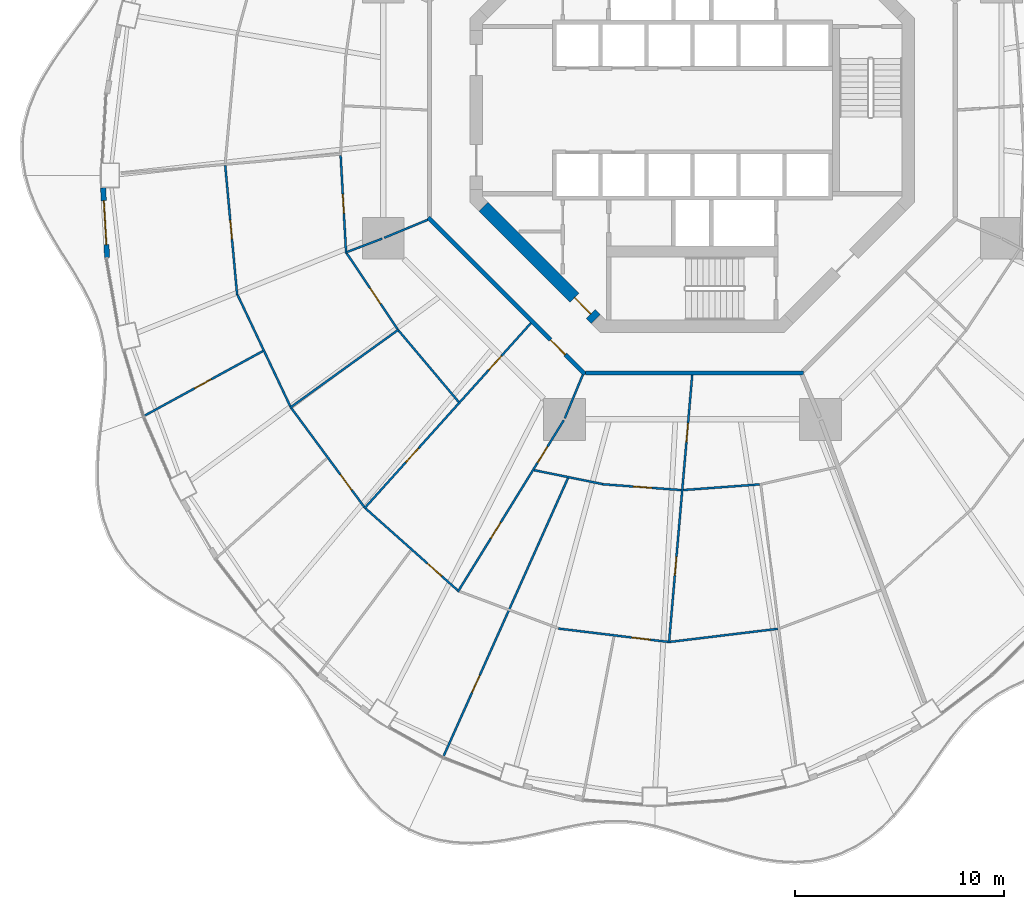
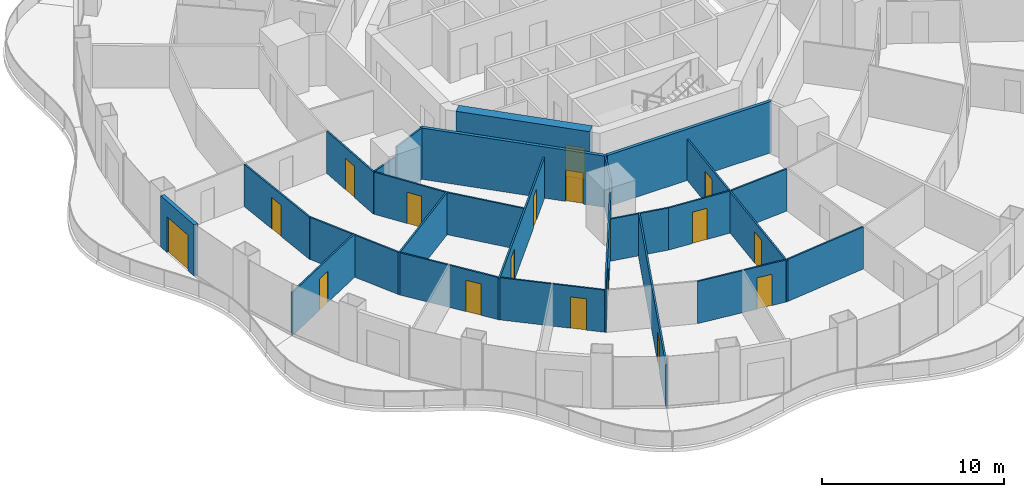
# One storey, part 11 of 19: 25 walls, 18 doors, 18 openings.
"""IFC4 building model written with IfcOpenShell, lengths in metres."""

import ifcopenshell
import ifcopenshell.guid

model = None  # the IFC model being written
_history = None  # IfcOwnerHistory: only IFC2X3 demands one
_inside = {}  # id of a spatial element -> (the spatial element, [elements in it])
_under = {}  # id of a project, library or spatial element -> (it, [spatial elements below it])
_declared = {}  # id of a project -> (the project, [libraries it declares])
_typed = {}  # id of a type object -> (the type object, [elements of that type])
_made_of = {}  # id of a material, layer set ... -> (it, [elements and type objects made of it])


def new_model(schema):
    """Start an empty IFC model of exactly this schema.

    Asked for "IFC4X3", IfcOpenShell would pick the latest addendum, in which some entities
    have other attributes; the version numbers below select the first issue.
    IFC2X3 requires an IfcOwnerHistory on every rooted entity: one is made here for all.
    """
    global model, _history
    if schema == "IFC4X3":
        model = ifcopenshell.file(schema_version=(4, 3, 0, 0))
    else:
        model = ifcopenshell.file(schema=schema)
    _inside.clear()
    _under.clear()
    _declared.clear()
    _typed.clear()
    _made_of.clear()
    _history = None
    if model.schema == "IFC2X3":
        org = make("IfcOrganization", Name="unknown")
        user = make(
            "IfcPersonAndOrganization",
            ThePerson=make("IfcPerson", FamilyName="unknown"),
            TheOrganization=org,
        )
        app = make(
            "IfcApplication",
            ApplicationDeveloper=org,
            Version="unknown",
            ApplicationFullName="unknown",
            ApplicationIdentifier="unknown",
        )
        _history = make(
            "IfcOwnerHistory",
            OwningUser=user,
            OwningApplication=app,
            ChangeAction="ADDED",
            CreationDate=0,
        )
    return model


def make(cls, **values):
    """One entity of the class cls with the attributes given. An attribute that is None is left unset."""
    return model.create_entity(
        cls, **{name: value for name, value in values.items() if value is not None}
    )


def rooted(cls, **values):
    """An entity with a GlobalId (a new one), such as an element, a storey or a relation."""
    return make(cls, GlobalId=ifcopenshell.guid.new(), OwnerHistory=_history, **values)


def si_unit(unit_type, name, prefix=None):
    """IfcSIUnit, for example si_unit("LENGTHUNIT", "METRE", prefix="MILLI")."""
    return make("IfcSIUnit", UnitType=unit_type, Prefix=prefix, Name=name)


def assignment(units):
    """IfcUnitAssignment: the units of a project."""
    return None if units is None else make("IfcUnitAssignment", Units=units)


def point(xyz):
    """IfcCartesianPoint."""
    return None if xyz is None else make("IfcCartesianPoint", Coordinates=xyz)


def direction(xyz):
    """IfcDirection."""
    return None if xyz is None else make("IfcDirection", DirectionRatios=xyz)


def frame(location, z_axis=None, x_axis=None):
    """IfcAxis2Placement3D, a coordinate frame: its origin and axes. An axis left out is left unset."""
    return make(
        "IfcAxis2Placement3D",
        Location=point(location),
        Axis=direction(z_axis),
        RefDirection=direction(x_axis),
    )


def frame_2d(location, x_axis=None):
    """IfcAxis2Placement2D, a coordinate frame in the plane: its origin and x axis."""
    return make(
        "IfcAxis2Placement2D", Location=point(location), RefDirection=direction(x_axis)
    )


def origin():
    """The frame at (0, 0, 0) with its axes left unset."""
    return frame((0.0, 0.0, 0.0))


def place(relative_to, where):
    """IfcLocalPlacement: puts the frame where relative to a parent placement (None: the world)."""
    return make(
        "IfcLocalPlacement", PlacementRelTo=relative_to, RelativePlacement=where
    )


def context(
    kind, dimensions, precision=None, world=None, true_north=None, identifier=None
):
    """IfcGeometricRepresentationContext, for example the 3D "Model" context."""
    return make(
        "IfcGeometricRepresentationContext",
        ContextIdentifier=identifier,
        ContextType=kind,
        CoordinateSpaceDimension=dimensions,
        Precision=precision,
        WorldCoordinateSystem=world,
        TrueNorth=true_north,
    )


def subcontext(parent, identifier, kind, view, scale=None):
    """IfcGeometricRepresentationSubContext, for example "Body" below "Model"."""
    return make(
        "IfcGeometricRepresentationSubContext",
        ContextIdentifier=identifier,
        ContextType=kind,
        ParentContext=parent,
        TargetScale=scale,
        TargetView=view,
    )


def project(units=None, contexts=None):
    """IfcProject with its units and contexts."""
    return rooted(
        "IfcProject",
        Name="project",
        RepresentationContexts=contexts,
        UnitsInContext=assignment(units),
    )


def spatial(cls, under=None, at=None, **own):
    """A site, building, storey or space (cls), placed at a placement, below another one or the project."""
    s = rooted(cls, ObjectPlacement=at, **own)
    if under is not None:
        _under.setdefault(under.id(), (under, []))[1].append(s)
    return s


def profile(cls, at=None, kind="AREA", **sizes):
    """A parametric profile (cls). Its sizes go by their IFC names, for example OverallWidth=200.0."""
    return make(cls, ProfileType=kind, Position=at, **sizes)


def rectangle(**sizes):
    """IfcRectangleProfileDef."""
    return profile("IfcRectangleProfileDef", **sizes)


def extrude(swept, where, along, depth):
    """IfcExtrudedAreaSolid: the profile swept, set in the frame where, extruded along a direction by depth."""
    return make(
        "IfcExtrudedAreaSolid",
        SweptArea=swept,
        Position=where,
        ExtrudedDirection=direction(along),
        Depth=depth,
    )


def shape(context_of_items, identifier, shape_type, items):
    """IfcShapeRepresentation: the items that make up one representation, for example the "Body"."""
    return make(
        "IfcShapeRepresentation",
        ContextOfItems=context_of_items,
        RepresentationIdentifier=identifier,
        RepresentationType=shape_type,
        Items=items,
    )


def material(Name=None, Category=None):
    """IfcMaterial."""
    return make("IfcMaterial", Name=Name, Category=Category)


def layer(
    of_material, thickness, ventilated=None, Name=None, Category=None, Priority=None
):
    """IfcMaterialLayer: one layer of a wall or slab, of a material (None: an air gap)."""
    return make(
        "IfcMaterialLayer",
        Material=of_material,
        LayerThickness=thickness,
        IsVentilated=ventilated,
        Name=Name,
        Category=Category,
        Priority=Priority,
    )


def layer_set(layers, Name=None):
    """IfcMaterialLayerSet."""
    return make("IfcMaterialLayerSet", MaterialLayers=layers, LayerSetName=Name)


def made_of(thing, what):
    """Note that an element or type object is made of a material, layer set ...; save() writes the relation."""
    if what is not None:
        _made_of.setdefault(what.id(), (what, []))[1].append(thing)
    return thing


def type_object(cls, material=None, **own):
    """A type object (cls), such as IfcWallType, which elements share."""
    return made_of(rooted(cls, **own), material)


def element(
    cls,
    number,
    at=None,
    inside=None,
    cuts=None,
    type_object=None,
    material=None,
    context=None,
    identifier="Body",
    shape_type=None,
    held_by="IfcProductDefinitionShape",
    body=None,
    shapes=None,
    **own,
):
    """One element of the class cls, such as IfcWall. Its Tag is "e" and its number.

    at: its placement. inside: the storey or other place that contains it. cuts: it is an
    opening in that element (IfcRelVoidsElement). A single representation is given by context,
    identifier, shape_type and body (its items); several are given by shapes. held_by: the class
    of the entity that holds the representations. save() writes the other relations.
    """
    e = rooted(cls, Tag="e%d" % number, ObjectPlacement=at, **own)
    if body is not None:
        shapes = [shape(context, identifier, shape_type, body)]
    if shapes is not None:
        e.Representation = make(held_by, Representations=shapes)
    if inside is not None:
        _inside.setdefault(inside.id(), (inside, []))[1].append(e)
    if cuts is not None:
        rooted(
            "IfcRelVoidsElement", RelatingBuildingElement=cuts, RelatedOpeningElement=e
        )
    if type_object is not None:
        _typed.setdefault(type_object.id(), (type_object, []))[1].append(e)
    return made_of(e, material)


def fill(opening, filler):
    """IfcRelFillsElement: the door or window that sits in an opening."""
    return rooted(
        "IfcRelFillsElement",
        RelatingOpeningElement=opening,
        RelatedBuildingElement=filler,
    )


def aggregate(whole, parts):
    """IfcRelAggregates: a whole, such as a stair, and the parts it consists of."""
    return rooted("IfcRelAggregates", RelatingObject=whole, RelatedObjects=parts)


def save(model, path):
    """Write the relations noted so far, then the file.

    IfcRelAggregates (storeys below a building ...), IfcRelContainedInSpatialStructure (elements
    in a storey), IfcRelDefinesByType, IfcRelAssociatesMaterial and IfcRelDeclares: one each for
    every whole, place, type object, material and project.
    """
    for whole, parts in _under.values():
        aggregate(whole, parts)
    for where, things in _inside.values():
        rooted(
            "IfcRelContainedInSpatialStructure",
            RelatedElements=things,
            RelatingStructure=where,
        )
    for kind, things in _typed.values():
        rooted("IfcRelDefinesByType", RelatedObjects=things, RelatingType=kind)
    for what, things in _made_of.values():
        rooted("IfcRelAssociatesMaterial", RelatedObjects=things, RelatingMaterial=what)
    for by, libraries in _declared.values():
        rooted("IfcRelDeclares", RelatingContext=by, RelatedDefinitions=libraries)
    model.write(path)


model = new_model("IFC4")

# Units and contexts
model_context = context("Model", 3, precision=1e-05, world=origin(), true_north=direction((0.0, 1.0)))
body_context = subcontext(model_context, "Body", "Model", "MODEL_VIEW")
ifc_project = project(units=[si_unit("LENGTHUNIT", "METRE"), si_unit("AREAUNIT", "SQUARE_METRE"), si_unit("VOLUMEUNIT", "CUBIC_METRE"), si_unit("PLANEANGLEUNIT", "RADIAN"), si_unit("MASSUNIT", "GRAM", prefix="KILO")], contexts=[model_context])

# Site, building, storey
site_placement = place(None, origin())
site = spatial("IfcSite", under=ifc_project, at=site_placement, CompositionType="ELEMENT")
building_placement = place(site_placement, origin())
building = spatial("IfcBuilding", under=site, at=building_placement, Name="Nagisa Residences", CompositionType="ELEMENT")
storey_placement = place(building_placement, frame((0.0, 0.0, 127.0)))
storey = spatial("IfcBuildingStorey", under=building, at=storey_placement, Name="L31", CompositionType="ELEMENT", Elevation=127.0)

# Wall, opening, door
ifc_material_1 = material(Name="Gypsum board on steel studs", Category="steel")
ifc_layer_1 = layer(ifc_material_1, 0.199951171875)
ifc_layer_set_1 = layer_set([ifc_layer_1], Name="Apartment entry wall EI60 200")
wall_type_1 = type_object("IfcWallType", Name="Apartment entry wall EI60 200", PredefinedType="PARTITIONING", material=ifc_layer_set_1)
wall_1_placement = place(storey_placement, frame((-12.635498046875, -5.1337890625, 0.0), z_axis=(0.0, 0.0, 1.0), x_axis=(0.707106781187, -0.707106781187, 0.0)))
wall_1 = element("IfcWall", 1, at=wall_1_placement, inside=storey, type_object=wall_type_1, Name="wall:L31:u11", PredefinedType="PARTITIONING", context=body_context, shape_type="SweptSolid", body=[
    extrude(rectangle(XDim=10.609130859375, YDim=0.199951171875, at=frame_2d((5.3046875, 0.0))), origin(), (0.0, 0.0, 1.0), 3.43994140625),
])
opening_1_placement = place(wall_1_placement, frame((8.274169921875, 0.0, 0.0)))
opening_1 = element("IfcOpeningElement", 2, at=opening_1_placement, cuts=wall_1, Name="Opening L31-U14", PredefinedType="OPENING", context=body_context, shape_type="SweptSolid", body=[
    extrude(rectangle(XDim=1.0, YDim=2.10009765625, at=frame_2d((0.5, 1.050048828125))), frame((0.0, 0.10986328125, 0.0), z_axis=(0.0, -1.0, 0.0), x_axis=(1.0, 0.0, 0.0)), (0.0, 0.0, 1.0), 0.219970703125),
])
ifc_material_2 = material(Name="Timber fire door set", Category="wood")
door_type_1 = type_object("IfcDoorType", Name="Apartment entry door FD30S 1000x2100", OperationType="NOTDEFINED", PredefinedType="DOOR", material=ifc_material_2)
door_1_placement = place(opening_1_placement, frame((1.0, 0.0, 0.0), x_axis=(-1.0, 0.0, 0.0)))
door_1 = element("IfcDoor", 3, at=door_1_placement, inside=storey, type_object=door_type_1, Name="Entry door, Apartment 31B", OperationType="SINGLE_SWING_LEFT", OverallHeight=2.10009765625, OverallWidth=1.0, PredefinedType="DOOR", context=body_context, shape_type="SweptSolid", body=[
    extrude(rectangle(XDim=1.0, YDim=2.10009765625, at=frame_2d((0.5, 1.050048828125))), frame((0.0, 0.02490234375, 0.0), z_axis=(0.0, -1.0, 0.0), x_axis=(1.0, 0.0, 0.0)), (0.0, 0.0, 1.0), 0.050048828125),
])
fill(opening_1, door_1)

# Wall
wall_2_placement = place(storey_placement, frame((-5.1044921875, -12.564697265625, 0.0), z_axis=(0.0, 0.0, 1.0), x_axis=(1.0, 0.0, 0.0)))
element("IfcWall", 4, at=wall_2_placement, inside=storey, type_object=wall_type_1, Name="wall:L31:u12", PredefinedType="PARTITIONING", context=body_context, shape_type="SweptSolid", body=[
    extrude(rectangle(XDim=10.408935546875, YDim=0.199951171875, at=frame_2d((5.20458984375, 0.0))), origin(), (0.0, 0.0, 1.0), 3.43994140625),
])

# Wall, opening, door
ifc_material_3 = material(Name="Gypsum board on steel studs", Category="steel")
ifc_layer_2 = layer(ifc_material_3, 0.10009765625)
ifc_layer_set_2 = layer_set([ifc_layer_2], Name="Apartment partition 100")
wall_type_2 = type_object("IfcWallType", Name="Apartment partition 100", PredefinedType="PARTITIONING", material=ifc_layer_set_2)
wall_3_placement = place(storey_placement, frame((-16.81982421875, -2.158203125, 0.0), z_axis=(0.0, 0.0, 1.0), x_axis=(0.055967931845, -0.998432566879, 0.0)))
wall_3 = element("IfcWall", 5, at=wall_3_placement, inside=storey, type_object=wall_type_2, Name="wall:L31:u58", PredefinedType="PARTITIONING", context=body_context, shape_type="SweptSolid", body=[
    extrude(rectangle(XDim=4.697998046875, YDim=0.10009765625, at=frame_2d((2.34912109375, 0.0))), origin(), (0.0, 0.0, 1.0), 2.827880859375),
])
opening_2_placement = place(wall_3_placement, frame((1.8740234375, 0.0, 0.0)))
opening_2 = element("IfcOpeningElement", 6, at=opening_2_placement, cuts=wall_3, Name="Opening L31-U31", PredefinedType="OPENING", context=body_context, shape_type="SweptSolid", body=[
    extrude(rectangle(XDim=0.89990234375, YDim=2.10009765625, at=frame_2d((0.449951171875, 1.050048828125))), frame((0.0, 0.06005859375, 0.0), z_axis=(0.0, -1.0, 0.0), x_axis=(1.0, 0.0, 0.0)), (0.0, 0.0, 1.0), 0.1201171875),
])
ifc_material_4 = material(Name="Timber door set", Category="wood")
door_type_2 = type_object("IfcDoorType", Name="Apartment door 900x2100", OperationType="NOTDEFINED", PredefinedType="DOOR", material=ifc_material_4)
door_2_placement = place(opening_2_placement, origin())
door_2 = element("IfcDoor", 7, at=door_2_placement, inside=storey, type_object=door_type_2, Name="Door to store, Apartment 31B", OperationType="SINGLE_SWING_LEFT", OverallHeight=2.10009765625, OverallWidth=0.89990234375, PredefinedType="DOOR", context=body_context, shape_type="SweptSolid", body=[
    extrude(rectangle(XDim=0.89990234375, YDim=2.10009765625, at=frame_2d((0.449951171875, 1.050048828125))), frame((0.0, 0.02490234375, 0.0), z_axis=(0.0, -1.0, 0.0), x_axis=(1.0, 0.0, 0.0)), (0.0, 0.0, 1.0), 0.050048828125),
])
fill(opening_2, door_2)

wall_4_placement = place(storey_placement, frame((-22.337646484375, -2.64208984375, 0.0), z_axis=(0.0, 0.0, 1.0), x_axis=(0.091768304523, -0.995780386574, 0.0)))
wall_4 = element("IfcWall", 8, at=wall_4_placement, inside=storey, type_object=wall_type_2, Name="wall:L31:u59", PredefinedType="PARTITIONING", context=body_context, shape_type="SweptSolid", body=[
    extrude(rectangle(XDim=6.214599609375, YDim=0.10009765625, at=frame_2d((3.107421875, 0.0))), origin(), (0.0, 0.0, 1.0), 2.827880859375),
])
opening_3_placement = place(wall_4_placement, frame((2.63232421875, 0.0, 0.0)))
opening_3 = element("IfcOpeningElement", 9, at=opening_3_placement, cuts=wall_4, Name="Opening L31-U24", PredefinedType="OPENING", context=body_context, shape_type="SweptSolid", body=[
    extrude(rectangle(XDim=0.89990234375, YDim=2.10009765625, at=frame_2d((0.449951171875, 1.050048828125))), frame((0.0, 0.06005859375, 0.0), z_axis=(0.0, -1.0, 0.0), x_axis=(1.0, 0.0, 0.0)), (0.0, 0.0, 1.0), 0.1201171875),
])
door_3_placement = place(opening_3_placement, frame((0.89990234375, 0.0, 0.0), x_axis=(-1.0, 0.0, 0.0)))
door_3 = element("IfcDoor", 10, at=door_3_placement, inside=storey, type_object=door_type_2, Name="Door to living room, Apartment 31B", OperationType="SINGLE_SWING_LEFT", OverallHeight=2.10009765625, OverallWidth=0.89990234375, PredefinedType="DOOR", context=body_context, shape_type="SweptSolid", body=[
    extrude(rectangle(XDim=0.89990234375, YDim=2.10009765625, at=frame_2d((0.449951171875, 1.050048828125))), frame((0.0, 0.02490234375, 0.0), z_axis=(0.0, -1.0, 0.0), x_axis=(1.0, 0.0, 0.0)), (0.0, 0.0, 1.0), 0.050048828125),
])
fill(opening_3, door_3)

# Walls
wall_5_placement = place(storey_placement, frame((-12.6572265625, -5.24267578125, 0.0), z_axis=(0.0, 0.0, 1.0), x_axis=(-0.923864733477, -0.382719158442, 0.0)))
element("IfcWall", 11, at=wall_5_placement, inside=storey, type_object=wall_type_2, Name="wall:L31:u60", PredefinedType="PARTITIONING", context=body_context, shape_type="SweptSolid", body=[
    extrude(rectangle(XDim=2.25, YDim=0.10009765625, at=frame_2d((1.125, 0.0))), origin(), (0.0, 0.0, 1.0), 3.43994140625),
])
wall_6_placement = place(storey_placement, frame((-14.828857421875, -6.140625, 0.0), z_axis=(0.0, 0.0, 1.0), x_axis=(-0.934704367514, -0.355426146128, 0.0)))
element("IfcWall", 12, at=wall_6_placement, inside=storey, type_object=wall_type_2, Name="wall:L31:u61", PredefinedType="PARTITIONING", context=body_context, shape_type="SweptSolid", body=[
    extrude(rectangle(XDim=1.8017578125, YDim=0.10009765625, at=frame_2d((0.90087890625, 0.0))), origin(), (0.0, 0.0, 1.0), 2.827880859375),
])

# Wall, opening, door
wall_7_placement = place(storey_placement, frame((-16.53173828125, -6.84033203125, 0.0), z_axis=(0.0, 0.0, 1.0), x_axis=(0.556994773624, -0.830515997531, 0.0)))
wall_7 = element("IfcWall", 13, at=wall_7_placement, inside=storey, type_object=wall_type_2, Name="wall:L31:u62", PredefinedType="PARTITIONING", context=body_context, shape_type="SweptSolid", body=[
    extrude(rectangle(XDim=4.366455078125, YDim=0.10009765625, at=frame_2d((2.18310546875, 0.0))), origin(), (0.0, 0.0, 1.0), 2.827880859375),
])
opening_4_placement = place(wall_7_placement, frame((2.010009765625, 0.0, 0.0)))
opening_4 = element("IfcOpeningElement", 14, at=opening_4_placement, cuts=wall_7, Name="Opening L31-U18", PredefinedType="OPENING", context=body_context, shape_type="SweptSolid", body=[
    extrude(rectangle(XDim=0.89990234375, YDim=2.10009765625, at=frame_2d((0.449951171875, 1.050048828125))), frame((0.0, 0.06005859375, 0.0), z_axis=(0.0, -1.0, 0.0), x_axis=(1.0, 0.0, 0.0)), (0.0, 0.0, 1.0), 0.1201171875),
])
door_4_placement = place(opening_4_placement, frame((0.89990234375, 0.0, 0.0), x_axis=(-1.0, 0.0, 0.0)))
door_4 = element("IfcDoor", 15, at=door_4_placement, inside=storey, type_object=door_type_2, Name="Door to family room, Apartment 31B", OperationType="SINGLE_SWING_LEFT", OverallHeight=2.10009765625, OverallWidth=0.89990234375, PredefinedType="DOOR", context=body_context, shape_type="SweptSolid", body=[
    extrude(rectangle(XDim=0.89990234375, YDim=2.10009765625, at=frame_2d((0.449951171875, 1.050048828125))), frame((0.0, 0.02490234375, 0.0), z_axis=(0.0, -1.0, 0.0), x_axis=(1.0, 0.0, 0.0)), (0.0, 0.0, 1.0), 0.050048828125),
])
fill(opening_4, door_4)

# Wall
wall_8_placement = place(storey_placement, frame((-21.75048828125, -8.826171875, 0.0), z_axis=(0.0, 0.0, 1.0), x_axis=(0.427739388908, -0.903902104863, 0.0)))
element("IfcWall", 16, at=wall_8_placement, inside=storey, type_object=wall_type_2, Name="wall:L31:u63", PredefinedType="PARTITIONING", context=body_context, shape_type="SweptSolid", body=[
    extrude(rectangle(XDim=5.89892578125, YDim=0.10009765625, at=frame_2d((2.949462890625, 0.0))), origin(), (0.0, 0.0, 1.0), 2.827880859375),
])

# Wall, opening, door
wall_9_placement = place(storey_placement, frame((-20.53271484375, -11.51611328125, 0.0), z_axis=(0.0, 0.0, 1.0), x_axis=(-0.877731656478, -0.479152521872, 0.0)))
wall_9 = element("IfcWall", 17, at=wall_9_placement, inside=storey, type_object=wall_type_2, Name="wall:L31:u64", PredefinedType="PARTITIONING", context=body_context, shape_type="SweptSolid", body=[
    extrude(rectangle(XDim=6.5478515625, YDim=0.10009765625, at=frame_2d((3.27392578125, 0.0))), origin(), (0.0, 0.0, 1.0), 2.905029296875),
])
opening_5_placement = place(wall_9_placement, frame((2.823974609375, 0.0, 0.0)))
opening_5 = element("IfcOpeningElement", 18, at=opening_5_placement, cuts=wall_9, Name="Opening L31-U25", PredefinedType="OPENING", context=body_context, shape_type="SweptSolid", body=[
    extrude(rectangle(XDim=0.89990234375, YDim=2.10009765625, at=frame_2d((0.449951171875, 1.050048828125))), frame((0.0, 0.06005859375, 0.0), z_axis=(0.0, -1.0, 0.0), x_axis=(1.0, 0.0, 0.0)), (0.0, 0.0, 1.0), 0.1201171875),
])
door_5_placement = place(opening_5_placement, origin())
door_5 = element("IfcDoor", 19, at=door_5_placement, inside=storey, type_object=door_type_2, Name="Door to master bedroom, Apartment 31B", OperationType="SINGLE_SWING_LEFT", OverallHeight=2.10009765625, OverallWidth=0.89990234375, PredefinedType="DOOR", context=body_context, shape_type="SweptSolid", body=[
    extrude(rectangle(XDim=0.89990234375, YDim=2.10009765625, at=frame_2d((0.449951171875, 1.050048828125))), frame((0.0, 0.02490234375, 0.0), z_axis=(0.0, -1.0, 0.0), x_axis=(1.0, 0.0, 0.0)), (0.0, 0.0, 1.0), 0.050048828125),
])
fill(opening_5, door_5)

# Walls
wall_10_placement = place(storey_placement, frame((-14.03125, -10.479248046875, 0.0), z_axis=(0.0, 0.0, 1.0), x_axis=(-0.811653955345, -0.584138559567, 0.0)))
element("IfcWall", 20, at=wall_10_placement, inside=storey, type_object=wall_type_2, Name="wall:L31:u65", PredefinedType="PARTITIONING", context=body_context, shape_type="SweptSolid", body=[
    extrude(rectangle(XDim=6.425537109375, YDim=0.10009765625, at=frame_2d((3.212890625, 0.0))), origin(), (0.0, 0.0, 1.0), 2.827880859375),
])
wall_11_placement = place(storey_placement, frame((-14.03955078125, -10.546630859375, 0.0), z_axis=(0.0, 0.0, 1.0), x_axis=(0.644036028289, -0.764995159635, 0.0)))
element("IfcWall", 21, at=wall_11_placement, inside=storey, type_object=wall_type_2, Name="wall:L31:u66", PredefinedType="PARTITIONING", context=body_context, shape_type="SweptSolid", body=[
    extrude(rectangle(XDim=4.448486328125, YDim=0.10009765625, at=frame_2d((2.22412109375, 0.0))), origin(), (0.0, 0.0, 1.0), 2.827880859375),
])

# Wall, opening, door
wall_12_placement = place(storey_placement, frame((-19.17626953125, -14.24365234375, 0.0), z_axis=(0.0, 0.0, 1.0), x_axis=(0.593532053206, -0.80481035146, 0.0)))
wall_12 = element("IfcWall", 22, at=wall_12_placement, inside=storey, type_object=wall_type_2, Name="wall:L31:u67", PredefinedType="PARTITIONING", context=body_context, shape_type="SweptSolid", body=[
    extrude(rectangle(XDim=5.8759765625, YDim=0.10009765625, at=frame_2d((2.93798828125, 0.0))), origin(), (0.0, 0.0, 1.0), 2.827880859375),
])
opening_6_placement = place(wall_12_placement, frame((3.956787109375, 0.0, 0.0)))
opening_6 = element("IfcOpeningElement", 23, at=opening_6_placement, cuts=wall_12, Name="Opening L31-U26", PredefinedType="OPENING", context=body_context, shape_type="SweptSolid", body=[
    extrude(rectangle(XDim=0.89990234375, YDim=2.10009765625, at=frame_2d((0.449951171875, 1.050048828125))), frame((0.0, 0.06005859375, 0.0), z_axis=(0.0, -1.0, 0.0), x_axis=(1.0, 0.0, 0.0)), (0.0, 0.0, 1.0), 0.1201171875),
])
door_6_placement = place(opening_6_placement, frame((0.89990234375, 0.0, 0.0), x_axis=(-1.0, 0.0, 0.0)))
door_6 = element("IfcDoor", 24, at=door_6_placement, inside=storey, type_object=door_type_2, Name="Door to dining room, Apartment 31B", OperationType="SINGLE_SWING_LEFT", OverallHeight=2.10009765625, OverallWidth=0.89990234375, PredefinedType="DOOR", context=body_context, shape_type="SweptSolid", body=[
    extrude(rectangle(XDim=0.89990234375, YDim=2.10009765625, at=frame_2d((0.449951171875, 1.050048828125))), frame((0.0, 0.02490234375, 0.0), z_axis=(0.0, -1.0, 0.0), x_axis=(1.0, 0.0, 0.0)), (0.0, 0.0, 1.0), 0.050048828125),
])
fill(opening_6, door_6)

# Wall, openings, doors
wall_13_placement = place(storey_placement, frame((-7.724853515625, -10.185791015625, 0.0), z_axis=(0.0, 0.0, 1.0), x_axis=(-0.668498346565, -0.743713628112, 0.0)))
wall_13 = element("IfcWall", 25, at=wall_13_placement, inside=storey, type_object=wall_type_2, Name="wall:L31:u69", PredefinedType="PARTITIONING", context=body_context, shape_type="SweptSolid", body=[
    extrude(rectangle(XDim=11.9189453125, YDim=0.10009765625, at=frame_2d((5.95947265625, 0.0))), origin(), (0.0, 0.0, 1.0), 2.756103515625),
])
opening_7_placement = place(wall_13_placement, frame((2.106201171875, 0.0, 0.0)))
opening_7 = element("IfcOpeningElement", 26, at=opening_7_placement, cuts=wall_13, Name="Opening L31-U15", PredefinedType="OPENING", context=body_context, shape_type="SweptSolid", body=[
    extrude(rectangle(XDim=0.89990234375, YDim=2.10009765625, at=frame_2d((0.449951171875, 1.050048828125))), frame((0.0, 0.06005859375, 0.0), z_axis=(0.0, -1.0, 0.0), x_axis=(1.0, 0.0, 0.0)), (0.0, 0.0, 1.0), 0.1201171875),
])
opening_8_placement = place(wall_13_placement, frame((8.040771484375, 0.0, 0.0)))
opening_8 = element("IfcOpeningElement", 27, at=opening_8_placement, cuts=wall_13, Name="Opening L31-U19", PredefinedType="OPENING", context=body_context, shape_type="SweptSolid", body=[
    extrude(rectangle(XDim=0.89990234375, YDim=2.10009765625, at=frame_2d((0.449951171875, 1.050048828125))), frame((0.0, 0.06005859375, 0.0), z_axis=(0.0, -1.0, 0.0), x_axis=(1.0, 0.0, 0.0)), (0.0, 0.0, 1.0), 0.1201171875),
])
door_7_placement = place(opening_7_placement, frame((0.89990234375, 0.0, 0.0), x_axis=(-1.0, 0.0, 0.0)))
door_7 = element("IfcDoor", 28, at=door_7_placement, inside=storey, type_object=door_type_2, Name="Door to store, Apartment 31B", OperationType="SINGLE_SWING_RIGHT", OverallHeight=2.10009765625, OverallWidth=0.89990234375, PredefinedType="DOOR", context=body_context, shape_type="SweptSolid", body=[
    extrude(rectangle(XDim=0.89990234375, YDim=2.10009765625, at=frame_2d((0.449951171875, 1.050048828125))), frame((0.0, 0.02490234375, 0.0), z_axis=(0.0, -1.0, 0.0), x_axis=(1.0, 0.0, 0.0)), (0.0, 0.0, 1.0), 0.050048828125),
])
fill(opening_7, door_7)
door_8_placement = place(opening_8_placement, frame((0.89990234375, 0.0, 0.0), x_axis=(-1.0, 0.0, 0.0)))
door_8 = element("IfcDoor", 29, at=door_8_placement, inside=storey, type_object=door_type_2, Name="Door to kitchen, Apartment 31B", OperationType="SINGLE_SWING_RIGHT", OverallHeight=2.10009765625, OverallWidth=0.89990234375, PredefinedType="DOOR", context=body_context, shape_type="SweptSolid", body=[
    extrude(rectangle(XDim=0.89990234375, YDim=2.10009765625, at=frame_2d((0.449951171875, 1.050048828125))), frame((0.0, 0.02490234375, 0.0), z_axis=(0.0, -1.0, 0.0), x_axis=(1.0, 0.0, 0.0)), (0.0, 0.0, 1.0), 0.050048828125),
])
fill(opening_8, door_8)

# Wall, opening, door
wall_14_placement = place(storey_placement, frame((-15.621826171875, -19.046142578125, 0.0), z_axis=(0.0, 0.0, 1.0), x_axis=(0.747342891849, -0.664438561496, 0.0)))
wall_14 = element("IfcWall", 30, at=wall_14_placement, inside=storey, type_object=wall_type_2, Name="wall:L31:u70", PredefinedType="PARTITIONING", context=body_context, shape_type="SweptSolid", body=[
    extrude(rectangle(XDim=5.880859375, YDim=0.10009765625, at=frame_2d((2.9404296875, 0.0))), origin(), (0.0, 0.0, 1.0), 2.827880859375),
])
opening_9_placement = place(wall_14_placement, frame((3.960693359375, 0.0, 0.0)))
opening_9 = element("IfcOpeningElement", 31, at=opening_9_placement, cuts=wall_14, Name="Opening L31-U27", PredefinedType="OPENING", context=body_context, shape_type="SweptSolid", body=[
    extrude(rectangle(XDim=0.89990234375, YDim=2.10009765625, at=frame_2d((0.449951171875, 1.050048828125))), frame((0.0, 0.06005859375, 0.0), z_axis=(0.0, -1.0, 0.0), x_axis=(1.0, 0.0, 0.0)), (0.0, 0.0, 1.0), 0.1201171875),
])
door_9_placement = place(opening_9_placement, frame((0.89990234375, 0.0, 0.0), x_axis=(-1.0, 0.0, 0.0)))
door_9 = element("IfcDoor", 32, at=door_9_placement, inside=storey, type_object=door_type_2, Name="Door to living room, Apartment 31B", OperationType="SINGLE_SWING_RIGHT", OverallHeight=2.10009765625, OverallWidth=0.89990234375, PredefinedType="DOOR", context=body_context, shape_type="SweptSolid", body=[
    extrude(rectangle(XDim=0.89990234375, YDim=2.10009765625, at=frame_2d((0.449951171875, 1.050048828125))), frame((0.0, 0.02490234375, 0.0), z_axis=(0.0, -1.0, 0.0), x_axis=(1.0, 0.0, 0.0)), (0.0, 0.0, 1.0), 0.050048828125),
])
fill(opening_9, door_9)

# Wall
wall_15_placement = place(storey_placement, frame((-5.24267578125, -12.6572265625, 0.0), z_axis=(0.0, 0.0, 1.0), x_axis=(-0.382811769845, -0.923826362943, 0.0)))
element("IfcWall", 33, at=wall_15_placement, inside=storey, type_object=wall_type_2, Name="wall:L31:u72", PredefinedType="PARTITIONING", context=body_context, shape_type="SweptSolid", body=[
    extrude(rectangle(XDim=2.25, YDim=0.10009765625, at=frame_2d((1.125, 0.0))), origin(), (0.0, 0.0, 1.0), 3.43994140625),
])

# Wall, openings, doors
wall_16_placement = place(storey_placement, frame((-6.149169921875, -14.82470703125, 0.0), z_axis=(0.0, 0.0, 1.0), x_axis=(-0.525396393596, -0.850857584791, 0.0)))
wall_16 = element("IfcWall", 34, at=wall_16_placement, inside=storey, type_object=wall_type_2, Name="wall:L31:u73", PredefinedType="PARTITIONING", context=body_context, shape_type="SweptSolid", body=[
    extrude(rectangle(XDim=9.64306640625, YDim=0.10009765625, at=frame_2d((4.821533203125, 0.0))), origin(), (0.0, 0.0, 1.0), 3.43994140625),
])
opening_10_placement = place(wall_16_placement, frame((1.48486328125, 0.0, 0.0)))
opening_10 = element("IfcOpeningElement", 35, at=opening_10_placement, cuts=wall_16, Name="Opening L31-U16", PredefinedType="OPENING", context=body_context, shape_type="SweptSolid", body=[
    extrude(rectangle(XDim=0.89990234375, YDim=2.10009765625, at=frame_2d((0.449951171875, 1.050048828125))), frame((0.0, 0.06005859375, 0.0), z_axis=(0.0, -1.0, 0.0), x_axis=(1.0, 0.0, 0.0)), (0.0, 0.0, 1.0), 0.1201171875),
])
opening_11_placement = place(wall_16_placement, frame((5.743896484375, 0.0, 0.0)))
opening_11 = element("IfcOpeningElement", 36, at=opening_11_placement, cuts=wall_16, Name="Opening L31-U20", PredefinedType="OPENING", context=body_context, shape_type="SweptSolid", body=[
    extrude(rectangle(XDim=0.89990234375, YDim=2.10009765625, at=frame_2d((0.449951171875, 1.050048828125))), frame((0.0, 0.06005859375, 0.0), z_axis=(0.0, -1.0, 0.0), x_axis=(1.0, 0.0, 0.0)), (0.0, 0.0, 1.0), 0.1201171875),
])
door_10_placement = place(opening_10_placement, origin())
door_10 = element("IfcDoor", 37, at=door_10_placement, inside=storey, type_object=door_type_2, Name="Door to laundry, Apartment 31B", OperationType="SINGLE_SWING_RIGHT", OverallHeight=2.10009765625, OverallWidth=0.89990234375, PredefinedType="DOOR", context=body_context, shape_type="SweptSolid", body=[
    extrude(rectangle(XDim=0.89990234375, YDim=2.10009765625, at=frame_2d((0.449951171875, 1.050048828125))), frame((0.0, 0.02490234375, 0.0), z_axis=(0.0, -1.0, 0.0), x_axis=(1.0, 0.0, 0.0)), (0.0, 0.0, 1.0), 0.050048828125),
])
fill(opening_10, door_10)
door_11_placement = place(opening_11_placement, origin())
door_11 = element("IfcDoor", 38, at=door_11_placement, inside=storey, type_object=door_type_2, Name="Door to family bathroom, Apartment 31B", OperationType="SINGLE_SWING_RIGHT", OverallHeight=2.10009765625, OverallWidth=0.89990234375, PredefinedType="DOOR", context=body_context, shape_type="SweptSolid", body=[
    extrude(rectangle(XDim=0.89990234375, YDim=2.10009765625, at=frame_2d((0.449951171875, 1.050048828125))), frame((0.0, 0.02490234375, 0.0), z_axis=(0.0, -1.0, 0.0), x_axis=(1.0, 0.0, 0.0)), (0.0, 0.0, 1.0), 0.050048828125),
])
fill(opening_11, door_11)

# Wall
wall_17_placement = place(storey_placement, frame((-7.568359375, -17.21240234375, 0.0), z_axis=(0.0, 0.0, 1.0), x_axis=(0.979967079473, -0.199159541946, 0.0)))
element("IfcWall", 39, at=wall_17_placement, inside=storey, type_object=wall_type_2, Name="wall:L31:u74", PredefinedType="PARTITIONING", context=body_context, shape_type="SweptSolid", body=[
    extrude(rectangle(XDim=3.3466796875, YDim=0.10009765625, at=frame_2d((1.67333984375, 0.0))), origin(), (0.0, 0.0, 1.0), 2.827880859375),
])

# Wall, opening, door
wall_18_placement = place(storey_placement, frame((-5.94921875, -17.59130859375, 0.0), z_axis=(0.0, 0.0, 1.0), x_axis=(-0.40838467696, -0.912809923053, 0.0)))
wall_18 = element("IfcWall", 40, at=wall_18_placement, inside=storey, type_object=wall_type_2, Name="wall:L31:u76", PredefinedType="PARTITIONING", context=body_context, shape_type="SweptSolid", body=[
    extrude(rectangle(XDim=14.6650390625, YDim=0.10009765625, at=frame_2d((7.33251953125, 0.0))), origin(), (0.0, 0.0, 1.0), 2.905029296875),
])
opening_12_placement = place(wall_18_placement, frame((10.333984375, 0.0, 0.0)))
opening_12 = element("IfcOpeningElement", 41, at=opening_12_placement, cuts=wall_18, Name="Opening L31-U28", PredefinedType="OPENING", context=body_context, shape_type="SweptSolid", body=[
    extrude(rectangle(XDim=0.89990234375, YDim=2.10009765625, at=frame_2d((0.449951171875, 1.050048828125))), frame((0.0, 0.06005859375, 0.0), z_axis=(0.0, -1.0, 0.0), x_axis=(1.0, 0.0, 0.0)), (0.0, 0.0, 1.0), 0.1201171875),
])
door_12_placement = place(opening_12_placement, origin())
door_12 = element("IfcDoor", 42, at=door_12_placement, inside=storey, type_object=door_type_2, Name="Door to master bedroom, Apartment 31B", OperationType="SINGLE_SWING_RIGHT", OverallHeight=2.10009765625, OverallWidth=0.89990234375, PredefinedType="DOOR", context=body_context, shape_type="SweptSolid", body=[
    extrude(rectangle(XDim=0.89990234375, YDim=2.10009765625, at=frame_2d((0.449951171875, 1.050048828125))), frame((0.0, 0.02490234375, 0.0), z_axis=(0.0, -1.0, 0.0), x_axis=(1.0, 0.0, 0.0)), (0.0, 0.0, 1.0), 0.050048828125),
])
fill(opening_12, door_12)

wall_19_placement = place(storey_placement, frame((-4.289794921875, -17.88525390625, 0.0), z_axis=(0.0, 0.0, 1.0), x_axis=(0.997272353708, -0.073809569363, 0.0)))
wall_19 = element("IfcWall", 43, at=wall_19_placement, inside=storey, type_object=wall_type_2, Name="wall:L31:u77", PredefinedType="PARTITIONING", context=body_context, shape_type="SweptSolid", body=[
    extrude(rectangle(XDim=3.76416015625, YDim=0.10009765625, at=frame_2d((1.882080078125, 0.0))), origin(), (0.0, 0.0, 1.0), 2.827880859375),
])
opening_13_placement = place(wall_19_placement, frame((1.45703125, 0.0, 0.0)))
opening_13 = element("IfcOpeningElement", 44, at=opening_13_placement, cuts=wall_19, Name="Opening L31-U21", PredefinedType="OPENING", context=body_context, shape_type="SweptSolid", body=[
    extrude(rectangle(XDim=0.89990234375, YDim=2.10009765625, at=frame_2d((0.449951171875, 1.050048828125))), frame((0.0, 0.06005859375, 0.0), z_axis=(0.0, -1.0, 0.0), x_axis=(1.0, 0.0, 0.0)), (0.0, 0.0, 1.0), 0.1201171875),
])
door_13_placement = place(opening_13_placement, frame((0.89990234375, 0.0, 0.0), x_axis=(-1.0, 0.0, 0.0)))
door_13 = element("IfcDoor", 45, at=door_13_placement, inside=storey, type_object=door_type_2, Name="Door to family room, Apartment 31B", OperationType="SINGLE_SWING_RIGHT", OverallHeight=2.10009765625, OverallWidth=0.89990234375, PredefinedType="DOOR", context=body_context, shape_type="SweptSolid", body=[
    extrude(rectangle(XDim=0.89990234375, YDim=2.10009765625, at=frame_2d((0.449951171875, 1.050048828125))), frame((0.0, 0.02490234375, 0.0), z_axis=(0.0, -1.0, 0.0), x_axis=(1.0, 0.0, 0.0)), (0.0, 0.0, 1.0), 0.050048828125),
])
fill(opening_13, door_13)

wall_20_placement = place(storey_placement, frame((-6.41259765625, -24.784423828125, 0.0), z_axis=(0.0, 0.0, 1.0), x_axis=(0.992690077723, -0.120691381588, 0.0)))
wall_20 = element("IfcWall", 46, at=wall_20_placement, inside=storey, type_object=wall_type_2, Name="wall:L31:u78", PredefinedType="PARTITIONING", context=body_context, shape_type="SweptSolid", body=[
    extrude(rectangle(XDim=5.28564453125, YDim=0.10009765625, at=frame_2d((2.642822265625, 0.0))), origin(), (0.0, 0.0, 1.0), 2.827880859375),
])
opening_14_placement = place(wall_20_placement, frame((3.5390625, 0.0, 0.0)))
opening_14 = element("IfcOpeningElement", 47, at=opening_14_placement, cuts=wall_20, Name="Opening L31-U29", PredefinedType="OPENING", context=body_context, shape_type="SweptSolid", body=[
    extrude(rectangle(XDim=0.89990234375, YDim=2.10009765625, at=frame_2d((0.449951171875, 1.050048828125))), frame((0.0, 0.06005859375, 0.0), z_axis=(0.0, -1.0, 0.0), x_axis=(1.0, 0.0, 0.0)), (0.0, 0.0, 1.0), 0.1201171875),
])
door_14_placement = place(opening_14_placement, frame((0.89990234375, 0.0, 0.0), x_axis=(-1.0, 0.0, 0.0)))
door_14 = element("IfcDoor", 48, at=door_14_placement, inside=storey, type_object=door_type_2, Name="Door to family room, Apartment 31B", OperationType="SINGLE_SWING_RIGHT", OverallHeight=2.10009765625, OverallWidth=0.89990234375, PredefinedType="DOOR", context=body_context, shape_type="SweptSolid", body=[
    extrude(rectangle(XDim=0.89990234375, YDim=2.10009765625, at=frame_2d((0.449951171875, 1.050048828125))), frame((0.0, 0.02490234375, 0.0), z_axis=(0.0, -1.0, 0.0), x_axis=(1.0, 0.0, 0.0)), (0.0, 0.0, 1.0), 0.050048828125),
])
fill(opening_14, door_14)

# Wall, openings, doors
wall_21_placement = place(storey_placement, frame((-0.008544921875, -12.664306640625, 0.0), z_axis=(0.0, 0.0, 1.0), x_axis=(-0.086441225464, -0.996256952066, 0.0)))
wall_21 = element("IfcWall", 49, at=wall_21_placement, inside=storey, type_object=wall_type_2, Name="wall:L31:u80", PredefinedType="PARTITIONING", context=body_context, shape_type="SweptSolid", body=[
    extrude(rectangle(XDim=12.862060546875, YDim=0.10009765625, at=frame_2d((6.43115234375, 0.0))), origin(), (0.0, 0.0, 1.0), 2.756103515625),
])
opening_15_placement = place(wall_21_placement, frame((2.3115234375, 0.0, 0.0)))
opening_15 = element("IfcOpeningElement", 50, at=opening_15_placement, cuts=wall_21, Name="Opening L31-U17", PredefinedType="OPENING", context=body_context, shape_type="SweptSolid", body=[
    extrude(rectangle(XDim=0.89990234375, YDim=2.10009765625, at=frame_2d((0.449951171875, 1.050048828125))), frame((0.0, 0.06005859375, 0.0), z_axis=(0.0, -1.0, 0.0), x_axis=(1.0, 0.0, 0.0)), (0.0, 0.0, 1.0), 0.1201171875),
])
opening_16_placement = place(wall_21_placement, frame((8.717529296875, 0.0, 0.0)))
opening_16 = element("IfcOpeningElement", 51, at=opening_16_placement, cuts=wall_21, Name="Opening L31-U22", PredefinedType="OPENING", context=body_context, shape_type="SweptSolid", body=[
    extrude(rectangle(XDim=0.89990234375, YDim=2.10009765625, at=frame_2d((0.449951171875, 1.050048828125))), frame((0.0, 0.06005859375, 0.0), z_axis=(0.0, -1.0, 0.0), x_axis=(1.0, 0.0, 0.0)), (0.0, 0.0, 1.0), 0.1201171875),
])
door_15_placement = place(opening_15_placement, origin())
door_15 = element("IfcDoor", 52, at=door_15_placement, inside=storey, type_object=door_type_2, Name="Door to store, Apartment 31B", OperationType="SINGLE_SWING_LEFT", OverallHeight=2.10009765625, OverallWidth=0.89990234375, PredefinedType="DOOR", context=body_context, shape_type="SweptSolid", body=[
    extrude(rectangle(XDim=0.89990234375, YDim=2.10009765625, at=frame_2d((0.449951171875, 1.050048828125))), frame((0.0, 0.02490234375, 0.0), z_axis=(0.0, -1.0, 0.0), x_axis=(1.0, 0.0, 0.0)), (0.0, 0.0, 1.0), 0.050048828125),
])
fill(opening_15, door_15)
door_16_placement = place(opening_16_placement, origin())
door_16 = element("IfcDoor", 53, at=door_16_placement, inside=storey, type_object=door_type_2, Name="Door to kitchen, Apartment 31B", OperationType="SINGLE_SWING_RIGHT", OverallHeight=2.10009765625, OverallWidth=0.89990234375, PredefinedType="DOOR", context=body_context, shape_type="SweptSolid", body=[
    extrude(rectangle(XDim=0.89990234375, YDim=2.10009765625, at=frame_2d((0.449951171875, 1.050048828125))), frame((0.0, 0.02490234375, 0.0), z_axis=(0.0, -1.0, 0.0), x_axis=(1.0, 0.0, 0.0)), (0.0, 0.0, 1.0), 0.050048828125),
])
fill(opening_16, door_16)

# Walls
wall_22_placement = place(storey_placement, frame((-0.43603515625, -18.1630859375, 0.0), z_axis=(0.0, 0.0, 1.0), x_axis=(0.997271025958, 0.073827506966, 0.0)))
element("IfcWall", 54, at=wall_22_placement, inside=storey, type_object=wall_type_2, Name="wall:L31:u81", PredefinedType="PARTITIONING", context=body_context, shape_type="SweptSolid", body=[
    extrude(rectangle(XDim=3.6640625, YDim=0.10009765625, at=frame_2d((1.83203125, 0.0))), origin(), (0.0, 0.0, 1.0), 2.827880859375),
])
wall_23_placement = place(storey_placement, frame((-1.06640625, -25.42236328125, 0.0), z_axis=(0.0, 0.0, 1.0), x_axis=(0.992692993044, 0.120667400577, 0.0)))
element("IfcWall", 55, at=wall_23_placement, inside=storey, type_object=wall_type_2, Name="wall:L31:u82", PredefinedType="PARTITIONING", context=body_context, shape_type="SweptSolid", body=[
    extrude(rectangle(XDim=5.185546875, YDim=0.10009765625, at=frame_2d((2.5927734375, 0.0))), origin(), (0.0, 0.0, 1.0), 2.827880859375),
])

# Wall, opening, door
ifc_material_5 = material(Name="Precast concrete C40/50", Category="concrete")
ifc_layer_3 = layer(ifc_material_5, 0.25)
ifc_layer_set_3 = layer_set([ifc_layer_3], Name="BALCONY DOOR WALL 250")
wall_type_3 = type_object("IfcWallType", Name="BALCONY DOOR WALL 250", PredefinedType="SOLIDWALL", material=ifc_layer_set_3)
wall_24_placement = place(storey_placement, frame((-27.983154296875, -7.0517578125, 0.0), z_axis=(0.0, 0.0, 1.0), x_axis=(-0.057537829427, 0.998343326809, 0.0)))
wall_24 = element("IfcWall", 56, at=wall_24_placement, inside=storey, type_object=wall_type_3, Name="wall:L31:bay24", PredefinedType="SOLIDWALL", context=body_context, shape_type="SweptSolid", body=[
    extrude(rectangle(XDim=3.347900390625, YDim=0.25, at=frame_2d((1.673828125, 0.0))), origin(), (0.0, 0.0, 1.0), 3.43994140625),
])
opening_17_placement = place(wall_24_placement, frame((0.623779296875, 0.0, 0.0)))
opening_17 = element("IfcOpeningElement", 57, at=opening_17_placement, cuts=wall_24, Name="Opening BD-L31-09", PredefinedType="OPENING", context=body_context, shape_type="SweptSolid", body=[
    extrude(rectangle(XDim=2.10009765625, YDim=2.39990234375, at=frame_2d((1.050048828125, 1.199951171875))), frame((0.0, 0.135009765625, 0.0), z_axis=(0.0, -1.0, 0.0), x_axis=(1.0, 0.0, 0.0)), (0.0, 0.0, 1.0), 0.27001953125),
])
ifc_material_6 = material(Name="Aluminium and clear glass", Category="aluminium")
door_type_3 = type_object("IfcDoorType", Name="BALCONY SLIDING DOOR 2100x2400", OperationType="SLIDING_TO_LEFT", PredefinedType="DOOR", material=ifc_material_6)
door_17_placement = place(opening_17_placement, origin())
door_17 = element("IfcDoor", 58, at=door_17_placement, inside=storey, type_object=door_type_3, Name="door:L31:bay24", OperationType="SLIDING_TO_LEFT", OverallHeight=2.39990234375, OverallWidth=2.10009765625, PredefinedType="DOOR", context=body_context, shape_type="SweptSolid", body=[
    extrude(rectangle(XDim=2.10009765625, YDim=2.39990234375, at=frame_2d((1.050048828125, 1.199951171875))), frame((0.0, 0.02490234375, 0.0), z_axis=(0.0, -1.0, 0.0), x_axis=(1.0, 0.0, 0.0)), (0.0, 0.0, 1.0), 0.050048828125),
])
fill(opening_17, door_17)

ifc_material_7 = material(Name="Concrete C60", Category="concrete")
ifc_layer_4 = layer(ifc_material_7, 0.60009765625)
ifc_layer_set_4 = layer_set([ifc_layer_4], Name="Core shear wall 600")
wall_type_4 = type_object("IfcWallType", Name="Core shear wall 600", PredefinedType="SHEAR", material=ifc_layer_set_4)
wall_25_placement = place(storey_placement, frame((-9.98828125, -4.613037109375, 0.0), z_axis=(0.0, 0.0, 1.0), x_axis=(0.707106781187, -0.707106781187, 0.0)))
wall_25 = element("IfcWall", 59, at=wall_25_placement, inside=storey, type_object=wall_type_4, Name="wall:L31:core:flat5", PredefinedType="SHEAR", context=body_context, shape_type="SweptSolid", body=[
    extrude(rectangle(XDim=7.601806640625, YDim=0.60009765625, at=frame_2d((3.80078125, 0.0))), origin(), (0.0, 0.0, 1.0), 3.43994140625),
])
opening_18_placement = place(wall_25_placement, frame((6.15087890625, 0.0, 0.0)))
opening_18 = element("IfcOpeningElement", 60, at=opening_18_placement, cuts=wall_25, Name="Opening L31-C22", PredefinedType="OPENING", context=body_context, shape_type="SweptSolid", body=[
    extrude(rectangle(XDim=1.10009765625, YDim=2.10009765625, at=frame_2d((0.550048828125, 1.050048828125))), frame((0.0, 0.31005859375, 0.0), z_axis=(0.0, -1.0, 0.0), x_axis=(1.0, 0.0, 0.0)), (0.0, 0.0, 1.0), 0.6201171875),
])
ifc_material_8 = material(Name="Steel fire door", Category="steel")
door_type_4 = type_object("IfcDoorType", Name="Fire door EI60 1100x2100 single swing", OperationType="NOTDEFINED", PredefinedType="DOOR", material=ifc_material_8)
door_18_placement = place(opening_18_placement, origin())
door_18 = element("IfcDoor", 61, at=door_18_placement, inside=storey, type_object=door_type_4, Name="Housekeeping lobby door L31", OperationType="SINGLE_SWING_RIGHT", OverallHeight=2.10009765625, OverallWidth=1.10009765625, PredefinedType="DOOR", context=body_context, shape_type="SweptSolid", body=[
    extrude(rectangle(XDim=1.10009765625, YDim=2.10009765625, at=frame_2d((0.550048828125, 1.050048828125))), frame((0.0, 0.02490234375, 0.0), z_axis=(0.0, -1.0, 0.0), x_axis=(1.0, 0.0, 0.0)), (0.0, 0.0, 1.0), 0.050048828125),
])
fill(opening_18, door_18)

save(model, "model.ifc")
